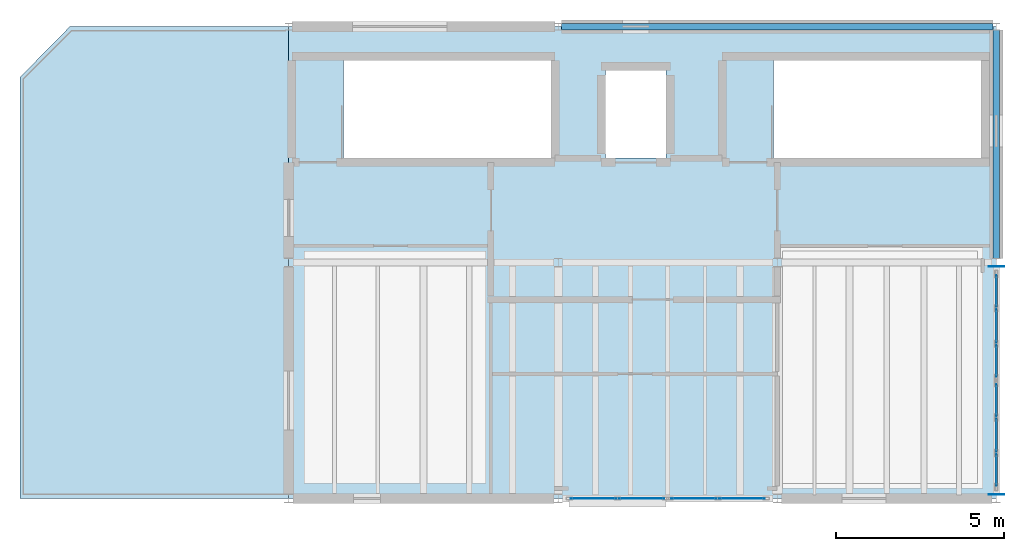
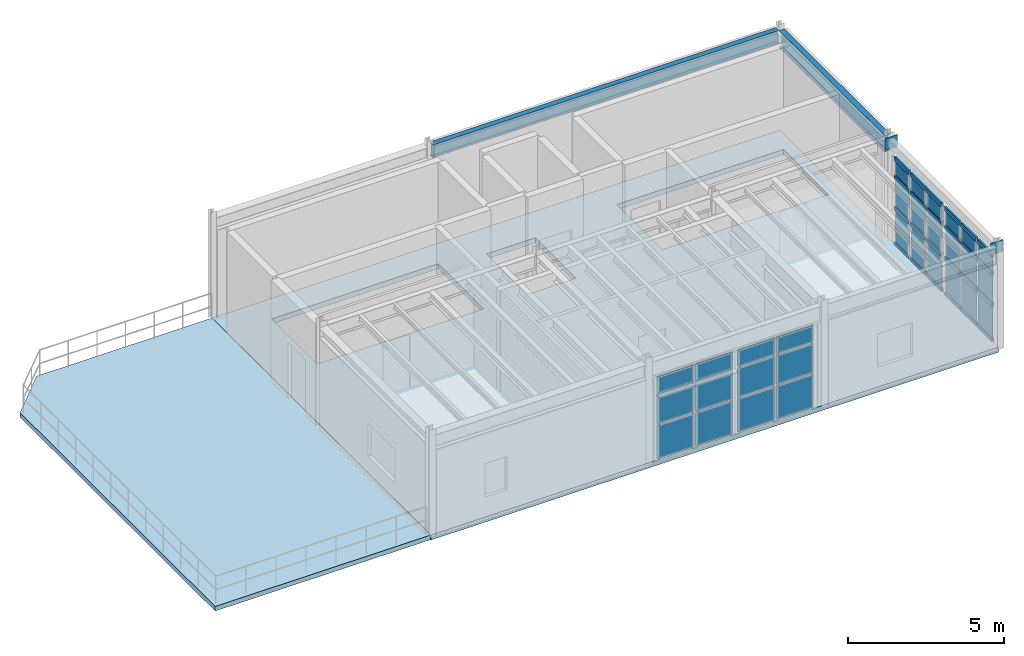
# One storey, part 5 of 8: 32 plates, 24 members, 2 beams, 2 slabs, 4 elements without a shape of their own.
"""IFC4 building model written with IfcOpenShell, lengths in metres."""

from ifc_helpers import new_model, si_unit, direction, frame, origin, origin_2d, place, context, subcontext, project, spatial, polyline, rectangle, hollow_rectangle, i_section, outline, extrude, material, layer, layer_set, material_profile, profile_set, type_object, element, aggregate, save


model = new_model("IFC4")

# Units and contexts
model_context = context("Model", 3, precision=1e-05, world=origin(), true_north=direction((0.0, 1.0)))
body_context = subcontext(model_context, "Body", "Model", "MODEL_VIEW")
ifc_project = project(units=[si_unit("LENGTHUNIT", "METRE"), si_unit("AREAUNIT", "SQUARE_METRE"), si_unit("VOLUMEUNIT", "CUBIC_METRE"), si_unit("PLANEANGLEUNIT", "RADIAN"), si_unit("MASSUNIT", "GRAM", prefix="KILO"), si_unit("THERMODYNAMICTEMPERATUREUNIT", "KELVIN"), si_unit("POWERUNIT", "WATT")], contexts=[model_context])

# Site, building, storey
site_placement = place(None, origin())
site = spatial("IfcSite", under=ifc_project, at=site_placement, CompositionType="ELEMENT")
building_placement = place(site_placement, origin())
building = spatial("IfcBuilding", under=site, at=building_placement, Name="Zhenchuan Central Fire Station", CompositionType="ELEMENT")
storey_placement = place(building_placement, frame((0.0, 0.0, 22.64990234375)))
storey = spatial("IfcBuildingStorey", under=building, at=storey_placement, Name="L06", CompositionType="ELEMENT", Elevation=22.64990234375)

# Beam
ifc_material_1 = material(Name="Steel Q355B", Category="steel")
ifc_material_profile_1 = material_profile(ifc_material_1, i_section(OverallWidth=0.199951171875, OverallDepth=0.64990234375, WebThickness=0.011962890625, FlangeThickness=0.02001953125, FilletRadius=0.02197265625, at=origin_2d()), Name="HN 650x200")
ifc_profile_set_1 = profile_set([ifc_material_profile_1], Name="Steel Q355B")
beam_type_1 = type_object("IfcBeamType", Name="BM-HN650-EXT", PredefinedType="BEAM", material=ifc_profile_set_1)
beam_1_placement = place(storey_placement, frame((161.0, 49.625, 3.655029296875), z_axis=(0.0, 1.0, 0.0), x_axis=(-1.0, 0.0, 0.0)))
element("IfcBeam", 1, at=beam_1_placement, inside=storey, type_object=beam_type_1, Name="RF Girder NS 0518", PredefinedType="BEAM", context=body_context, shape_type="SweptSolid", body=[
    extrude(i_section(OverallWidth=0.199951171875, OverallDepth=0.64990234375, WebThickness=0.011962890625, FlangeThickness=0.02001953125, FilletRadius=0.02197265625, at=origin_2d()), origin(), (0.0, 0.0, 1.0), 6.77490234375),
])

# Curtain wall, members
ifc_material_2 = material(Name="Anodised aluminium and low-E glazing", Category="aluminium")
curtain_wall_type_1 = type_object("IfcCurtainWallType", Name="CW-MOD-16", PredefinedType="USERDEFINED", material=ifc_material_2)
curtain_wall_1_placement = place(storey_placement, origin())
curtain_wall_1 = element("IfcCurtainWall", 2, at=curtain_wall_1_placement, inside=storey, type_object=curtain_wall_type_1, Name="L06 Unitised Curtain Wall 154", ObjectType="UNITISED GLAZING", PredefinedType="USERDEFINED")
ifc_material_3 = material(Name="Anodised aluminium EN AW-6063", Category="aluminium")
ifc_material_profile_2 = material_profile(ifc_material_3, hollow_rectangle(XDim=0.080078125, YDim=0.1650390625, WallThickness=0.0048828125, at=origin_2d()), Name="ALU-T 165x80")
ifc_profile_set_2 = profile_set([ifc_material_profile_2], Name="Anodised aluminium EN AW-6063")
member_type = type_object("IfcMemberType", Name="CW-TRN150", PredefinedType="NOTDEFINED", material=ifc_profile_set_2)
member_1_placement = place(storey_placement, frame((161.0, 42.875, 0.03369140625), z_axis=(0.0, 1.0, 0.0), x_axis=(-1.0, 0.0, 0.0)))
member_1 = element("IfcMember", 3, at=member_1_placement, type_object=member_type, Name="CW-16 transom 1.1", ObjectType="TRANSOM", PredefinedType="USERDEFINED", context=body_context, shape_type="SweptSolid", body=[
    extrude(hollow_rectangle(XDim=0.080078125, YDim=0.1650390625, WallThickness=0.0048828125, at=origin_2d()), origin(), (0.0, 0.0, 1.0), 0.94140625),
])
member_2_placement = place(storey_placement, frame((161.0, 42.875, 1.427978515625), z_axis=(0.0, 1.0, 0.0), x_axis=(-1.0, 0.0, 0.0)))
member_2 = element("IfcMember", 4, at=member_2_placement, type_object=member_type, Name="CW-16 transom 1.2", ObjectType="TRANSOM", PredefinedType="USERDEFINED", context=body_context, shape_type="SweptSolid", body=[
    extrude(hollow_rectangle(XDim=0.080078125, YDim=0.1650390625, WallThickness=0.0048828125, at=origin_2d()), origin(), (0.0, 0.0, 1.0), 0.94140625),
])
member_3_placement = place(storey_placement, frame((161.0, 42.875, 2.652099609375), z_axis=(0.0, 1.0, 0.0), x_axis=(-1.0, 0.0, 0.0)))
member_3 = element("IfcMember", 5, at=member_3_placement, type_object=member_type, Name="CW-16 transom 1.3", ObjectType="TRANSOM", PredefinedType="USERDEFINED", context=body_context, shape_type="SweptSolid", body=[
    extrude(hollow_rectangle(XDim=0.080078125, YDim=0.1650390625, WallThickness=0.0048828125, at=origin_2d()), origin(), (0.0, 0.0, 1.0), 0.94140625),
])
member_4_placement = place(storey_placement, frame((161.0, 42.875, 3.362548828125), z_axis=(0.0, 1.0, 0.0), x_axis=(-1.0, 0.0, 0.0)))
member_4 = element("IfcMember", 6, at=member_4_placement, type_object=member_type, Name="CW-16 transom 1.4", ObjectType="TRANSOM", PredefinedType="USERDEFINED", context=body_context, shape_type="SweptSolid", body=[
    extrude(hollow_rectangle(XDim=0.080078125, YDim=0.1650390625, WallThickness=0.0048828125, at=origin_2d()), origin(), (0.0, 0.0, 1.0), 0.94140625),
])
member_5_placement = place(storey_placement, frame((161.0, 43.8916015625, 0.03369140625), z_axis=(0.0, 1.0, 0.0), x_axis=(-1.0, 0.0, 0.0)))
member_5 = element("IfcMember", 7, at=member_5_placement, type_object=member_type, Name="CW-16 transom 2.1", ObjectType="TRANSOM", PredefinedType="USERDEFINED", context=body_context, shape_type="SweptSolid", body=[
    extrude(hollow_rectangle(XDim=0.080078125, YDim=0.1650390625, WallThickness=0.0048828125, at=origin_2d()), origin(), (0.0, 0.0, 1.0), 0.97900390625),
])
member_6_placement = place(storey_placement, frame((161.0, 43.8916015625, 1.427978515625), z_axis=(0.0, 1.0, 0.0), x_axis=(-1.0, 0.0, 0.0)))
member_6 = element("IfcMember", 8, at=member_6_placement, type_object=member_type, Name="CW-16 transom 2.2", ObjectType="TRANSOM", PredefinedType="USERDEFINED", context=body_context, shape_type="SweptSolid", body=[
    extrude(hollow_rectangle(XDim=0.080078125, YDim=0.1650390625, WallThickness=0.0048828125, at=origin_2d()), origin(), (0.0, 0.0, 1.0), 0.97900390625),
])
member_7_placement = place(storey_placement, frame((161.0, 43.8916015625, 2.652099609375), z_axis=(0.0, 1.0, 0.0), x_axis=(-1.0, 0.0, 0.0)))
member_7 = element("IfcMember", 9, at=member_7_placement, type_object=member_type, Name="CW-16 transom 2.3", ObjectType="TRANSOM", PredefinedType="USERDEFINED", context=body_context, shape_type="SweptSolid", body=[
    extrude(hollow_rectangle(XDim=0.080078125, YDim=0.1650390625, WallThickness=0.0048828125, at=origin_2d()), origin(), (0.0, 0.0, 1.0), 0.97900390625),
])
member_8_placement = place(storey_placement, frame((161.0, 43.8916015625, 3.362548828125), z_axis=(0.0, 1.0, 0.0), x_axis=(-1.0, 0.0, 0.0)))
member_8 = element("IfcMember", 10, at=member_8_placement, type_object=member_type, Name="CW-16 transom 2.4", ObjectType="TRANSOM", PredefinedType="USERDEFINED", context=body_context, shape_type="SweptSolid", body=[
    extrude(hollow_rectangle(XDim=0.080078125, YDim=0.1650390625, WallThickness=0.0048828125, at=origin_2d()), origin(), (0.0, 0.0, 1.0), 0.97900390625),
])
member_9_placement = place(storey_placement, frame((161.0, 44.945556640625, 0.03369140625), z_axis=(0.0, 1.0, 0.0), x_axis=(-1.0, 0.0, 0.0)))
member_9 = element("IfcMember", 11, at=member_9_placement, type_object=member_type, Name="CW-16 transom 3.1", ObjectType="TRANSOM", PredefinedType="USERDEFINED", context=body_context, shape_type="SweptSolid", body=[
    extrude(hollow_rectangle(XDim=0.080078125, YDim=0.1650390625, WallThickness=0.0048828125, at=origin_2d()), origin(), (0.0, 0.0, 1.0), 0.94140625),
])
member_10_placement = place(storey_placement, frame((161.0, 44.945556640625, 1.427978515625), z_axis=(0.0, 1.0, 0.0), x_axis=(-1.0, 0.0, 0.0)))
member_10 = element("IfcMember", 12, at=member_10_placement, type_object=member_type, Name="CW-16 transom 3.2", ObjectType="TRANSOM", PredefinedType="USERDEFINED", context=body_context, shape_type="SweptSolid", body=[
    extrude(hollow_rectangle(XDim=0.080078125, YDim=0.1650390625, WallThickness=0.0048828125, at=origin_2d()), origin(), (0.0, 0.0, 1.0), 0.94140625),
])
member_11_placement = place(storey_placement, frame((161.0, 44.945556640625, 2.652099609375), z_axis=(0.0, 1.0, 0.0), x_axis=(-1.0, 0.0, 0.0)))
member_11 = element("IfcMember", 13, at=member_11_placement, type_object=member_type, Name="CW-16 transom 3.3", ObjectType="TRANSOM", PredefinedType="USERDEFINED", context=body_context, shape_type="SweptSolid", body=[
    extrude(hollow_rectangle(XDim=0.080078125, YDim=0.1650390625, WallThickness=0.0048828125, at=origin_2d()), origin(), (0.0, 0.0, 1.0), 0.94140625),
])
member_12_placement = place(storey_placement, frame((161.0, 44.945556640625, 3.362548828125), z_axis=(0.0, 1.0, 0.0), x_axis=(-1.0, 0.0, 0.0)))
member_12 = element("IfcMember", 14, at=member_12_placement, type_object=member_type, Name="CW-16 transom 3.4", ObjectType="TRANSOM", PredefinedType="USERDEFINED", context=body_context, shape_type="SweptSolid", body=[
    extrude(hollow_rectangle(XDim=0.080078125, YDim=0.1650390625, WallThickness=0.0048828125, at=origin_2d()), origin(), (0.0, 0.0, 1.0), 0.94140625),
])

curtain_wall_type_2 = type_object("IfcCurtainWallType", Name="CW-MOD-17", PredefinedType="USERDEFINED", material=ifc_material_2)
curtain_wall_2_placement = place(storey_placement, origin())
curtain_wall_2 = element("IfcCurtainWall", 15, at=curtain_wall_2_placement, inside=storey, type_object=curtain_wall_type_2, Name="L06 Unitised Curtain Wall 155", ObjectType="UNITISED GLAZING", PredefinedType="USERDEFINED")
member_13_placement = place(storey_placement, frame((161.0, 46.113037109375, 0.03369140625), z_axis=(0.0, 1.0, 0.0), x_axis=(-1.0, 0.0, 0.0)))
member_13 = element("IfcMember", 16, at=member_13_placement, type_object=member_type, Name="CW-17 transom 1.1", ObjectType="TRANSOM", PredefinedType="USERDEFINED", context=body_context, shape_type="SweptSolid", body=[
    extrude(hollow_rectangle(XDim=0.080078125, YDim=0.1650390625, WallThickness=0.0048828125, at=origin_2d()), origin(), (0.0, 0.0, 1.0), 0.94140625),
])
member_14_placement = place(storey_placement, frame((161.0, 46.113037109375, 1.427978515625), z_axis=(0.0, 1.0, 0.0), x_axis=(-1.0, 0.0, 0.0)))
member_14 = element("IfcMember", 17, at=member_14_placement, type_object=member_type, Name="CW-17 transom 1.2", ObjectType="TRANSOM", PredefinedType="USERDEFINED", context=body_context, shape_type="SweptSolid", body=[
    extrude(hollow_rectangle(XDim=0.080078125, YDim=0.1650390625, WallThickness=0.0048828125, at=origin_2d()), origin(), (0.0, 0.0, 1.0), 0.94140625),
])
member_15_placement = place(storey_placement, frame((161.0, 46.113037109375, 2.652099609375), z_axis=(0.0, 1.0, 0.0), x_axis=(-1.0, 0.0, 0.0)))
member_15 = element("IfcMember", 18, at=member_15_placement, type_object=member_type, Name="CW-17 transom 1.3", ObjectType="TRANSOM", PredefinedType="USERDEFINED", context=body_context, shape_type="SweptSolid", body=[
    extrude(hollow_rectangle(XDim=0.080078125, YDim=0.1650390625, WallThickness=0.0048828125, at=origin_2d()), origin(), (0.0, 0.0, 1.0), 0.94140625),
])
member_16_placement = place(storey_placement, frame((161.0, 46.113037109375, 3.362548828125), z_axis=(0.0, 1.0, 0.0), x_axis=(-1.0, 0.0, 0.0)))
member_16 = element("IfcMember", 19, at=member_16_placement, type_object=member_type, Name="CW-17 transom 1.4", ObjectType="TRANSOM", PredefinedType="USERDEFINED", context=body_context, shape_type="SweptSolid", body=[
    extrude(hollow_rectangle(XDim=0.080078125, YDim=0.1650390625, WallThickness=0.0048828125, at=origin_2d()), origin(), (0.0, 0.0, 1.0), 0.94140625),
])
member_17_placement = place(storey_placement, frame((161.0, 47.12939453125, 0.03369140625), z_axis=(0.0, 1.0, 0.0), x_axis=(-1.0, 0.0, 0.0)))
member_17 = element("IfcMember", 20, at=member_17_placement, type_object=member_type, Name="CW-17 transom 2.1", ObjectType="TRANSOM", PredefinedType="USERDEFINED", context=body_context, shape_type="SweptSolid", body=[
    extrude(hollow_rectangle(XDim=0.080078125, YDim=0.1650390625, WallThickness=0.0048828125, at=origin_2d()), origin(), (0.0, 0.0, 1.0), 0.97900390625),
])
member_18_placement = place(storey_placement, frame((161.0, 47.12939453125, 1.427978515625), z_axis=(0.0, 1.0, 0.0), x_axis=(-1.0, 0.0, 0.0)))
member_18 = element("IfcMember", 21, at=member_18_placement, type_object=member_type, Name="CW-17 transom 2.2", ObjectType="TRANSOM", PredefinedType="USERDEFINED", context=body_context, shape_type="SweptSolid", body=[
    extrude(hollow_rectangle(XDim=0.080078125, YDim=0.1650390625, WallThickness=0.0048828125, at=origin_2d()), origin(), (0.0, 0.0, 1.0), 0.97900390625),
])
member_19_placement = place(storey_placement, frame((161.0, 47.12939453125, 2.652099609375), z_axis=(0.0, 1.0, 0.0), x_axis=(-1.0, 0.0, 0.0)))
member_19 = element("IfcMember", 22, at=member_19_placement, type_object=member_type, Name="CW-17 transom 2.3", ObjectType="TRANSOM", PredefinedType="USERDEFINED", context=body_context, shape_type="SweptSolid", body=[
    extrude(hollow_rectangle(XDim=0.080078125, YDim=0.1650390625, WallThickness=0.0048828125, at=origin_2d()), origin(), (0.0, 0.0, 1.0), 0.97900390625),
])
member_20_placement = place(storey_placement, frame((161.0, 47.12939453125, 3.362548828125), z_axis=(0.0, 1.0, 0.0), x_axis=(-1.0, 0.0, 0.0)))
member_20 = element("IfcMember", 23, at=member_20_placement, type_object=member_type, Name="CW-17 transom 2.4", ObjectType="TRANSOM", PredefinedType="USERDEFINED", context=body_context, shape_type="SweptSolid", body=[
    extrude(hollow_rectangle(XDim=0.080078125, YDim=0.1650390625, WallThickness=0.0048828125, at=origin_2d()), origin(), (0.0, 0.0, 1.0), 0.97900390625),
])
member_21_placement = place(storey_placement, frame((161.0, 48.18359375, 0.03369140625), z_axis=(0.0, 1.0, 0.0), x_axis=(-1.0, 0.0, 0.0)))
member_21 = element("IfcMember", 24, at=member_21_placement, type_object=member_type, Name="CW-17 transom 3.1", ObjectType="TRANSOM", PredefinedType="USERDEFINED", context=body_context, shape_type="SweptSolid", body=[
    extrude(hollow_rectangle(XDim=0.080078125, YDim=0.1650390625, WallThickness=0.0048828125, at=origin_2d()), origin(), (0.0, 0.0, 1.0), 0.94140625),
])
member_22_placement = place(storey_placement, frame((161.0, 48.18359375, 1.427978515625), z_axis=(0.0, 1.0, 0.0), x_axis=(-1.0, 0.0, 0.0)))
member_22 = element("IfcMember", 25, at=member_22_placement, type_object=member_type, Name="CW-17 transom 3.2", ObjectType="TRANSOM", PredefinedType="USERDEFINED", context=body_context, shape_type="SweptSolid", body=[
    extrude(hollow_rectangle(XDim=0.080078125, YDim=0.1650390625, WallThickness=0.0048828125, at=origin_2d()), origin(), (0.0, 0.0, 1.0), 0.94140625),
])
member_23_placement = place(storey_placement, frame((161.0, 48.18359375, 2.652099609375), z_axis=(0.0, 1.0, 0.0), x_axis=(-1.0, 0.0, 0.0)))
member_23 = element("IfcMember", 26, at=member_23_placement, type_object=member_type, Name="CW-17 transom 3.3", ObjectType="TRANSOM", PredefinedType="USERDEFINED", context=body_context, shape_type="SweptSolid", body=[
    extrude(hollow_rectangle(XDim=0.080078125, YDim=0.1650390625, WallThickness=0.0048828125, at=origin_2d()), origin(), (0.0, 0.0, 1.0), 0.94140625),
])
member_24_placement = place(storey_placement, frame((161.0, 48.18359375, 3.362548828125), z_axis=(0.0, 1.0, 0.0), x_axis=(-1.0, 0.0, 0.0)))
member_24 = element("IfcMember", 27, at=member_24_placement, type_object=member_type, Name="CW-17 transom 3.4", ObjectType="TRANSOM", PredefinedType="USERDEFINED", context=body_context, shape_type="SweptSolid", body=[
    extrude(hollow_rectangle(XDim=0.080078125, YDim=0.1650390625, WallThickness=0.0048828125, at=origin_2d()), origin(), (0.0, 0.0, 1.0), 0.94140625),
])

# Beam
ifc_material_profile_3 = material_profile(ifc_material_1, i_section(OverallWidth=0.199951171875, OverallDepth=0.5, WebThickness=0.010009765625, FlangeThickness=0.01611328125, FilletRadius=0.02001953125, at=origin_2d()), Name="HN 500x200")
ifc_profile_set_3 = profile_set([ifc_material_profile_3], Name="Steel Q355B")
beam_type_2 = type_object("IfcBeamType", Name="SP-HN500", PredefinedType="SPANDREL", material=ifc_profile_set_3)
beam_2_placement = place(storey_placement, frame((148.10009765625, 56.5, 3.72998046875), z_axis=(1.0, 0.0, 0.0), x_axis=(0.0, 1.0, 0.0)))
element("IfcBeam", 28, at=beam_2_placement, inside=storey, type_object=beam_type_2, Name="RF Girder EW 0513", PredefinedType="SPANDREL", context=body_context, shape_type="SweptSolid", body=[
    extrude(i_section(OverallWidth=0.199951171875, OverallDepth=0.5, WebThickness=0.010009765625, FlangeThickness=0.01611328125, FilletRadius=0.02001953125, at=origin_2d()), origin(), (0.0, 0.0, 1.0), 12.7998046875),
])

# Plate
ifc_material_4 = material(Name="Laminated low-E double glazing", Category="glass")
ifc_layer_1 = layer(ifc_material_4, 0.011962890625, Name="Laminated low-E double glazing", Category="glass")
ifc_layer_set_1 = layer_set([ifc_layer_1], Name="Laminated low-E double glazing")
plate_type_1 = type_object("IfcPlateType", Name="CW-PNL12", PredefinedType="CURTAIN_PANEL", material=ifc_layer_set_1)
plate_1_placement = place(storey_placement, frame((161.0, 43.345703125, 0.0712890625), z_axis=(0.0, 0.0, 1.0), x_axis=(0.0, 1.0, 0.0)))
plate_1 = element("IfcPlate", 29, at=plate_1_placement, type_object=plate_type_1, Name="CW-16 panel 1.1", PredefinedType="CURTAIN_PANEL", context=body_context, shape_type="SweptSolid", body=[
    extrude(rectangle(XDim=0.94140625, YDim=0.011962890625, at=origin_2d()), origin(), (0.0, 0.0, 1.0), 1.319580078125),
])

plate_2_placement = place(storey_placement, frame((161.0, 43.345703125, 1.465576171875), z_axis=(0.0, 0.0, 1.0), x_axis=(0.0, 1.0, 0.0)))
plate_2 = element("IfcPlate", 30, at=plate_2_placement, type_object=plate_type_1, Name="CW-16 panel 1.2", PredefinedType="CURTAIN_PANEL", context=body_context, shape_type="SweptSolid", body=[
    extrude(rectangle(XDim=0.94140625, YDim=0.011962890625, at=origin_2d()), origin(), (0.0, 0.0, 1.0), 1.14892578125),
])

plate_3_placement = place(storey_placement, frame((161.0, 43.345703125, 2.689453125), z_axis=(0.0, 0.0, 1.0), x_axis=(0.0, 1.0, 0.0)))
plate_3 = element("IfcPlate", 31, at=plate_3_placement, type_object=plate_type_1, Name="CW-16 panel 1.3", PredefinedType="CURTAIN_PANEL", context=body_context, shape_type="SweptSolid", body=[
    extrude(rectangle(XDim=0.94140625, YDim=0.011962890625, at=origin_2d()), origin(), (0.0, 0.0, 1.0), 0.635498046875),
])

plate_4_placement = place(storey_placement, frame((161.0, 44.381103515625, 0.0712890625), z_axis=(0.0, 0.0, 1.0), x_axis=(0.0, 1.0, 0.0)))
plate_4 = element("IfcPlate", 32, at=plate_4_placement, type_object=plate_type_1, Name="CW-16 panel 2.1", PredefinedType="CURTAIN_PANEL", context=body_context, shape_type="SweptSolid", body=[
    extrude(rectangle(XDim=0.97900390625, YDim=0.011962890625, at=origin_2d()), origin(), (0.0, 0.0, 1.0), 1.319580078125),
])

plate_5_placement = place(storey_placement, frame((161.0, 44.381103515625, 1.465576171875), z_axis=(0.0, 0.0, 1.0), x_axis=(0.0, 1.0, 0.0)))
plate_5 = element("IfcPlate", 33, at=plate_5_placement, type_object=plate_type_1, Name="CW-16 panel 2.2", PredefinedType="CURTAIN_PANEL", context=body_context, shape_type="SweptSolid", body=[
    extrude(rectangle(XDim=0.97900390625, YDim=0.011962890625, at=origin_2d()), origin(), (0.0, 0.0, 1.0), 1.14892578125),
])

plate_6_placement = place(storey_placement, frame((161.0, 44.381103515625, 2.689453125), z_axis=(0.0, 0.0, 1.0), x_axis=(0.0, 1.0, 0.0)))
plate_6 = element("IfcPlate", 34, at=plate_6_placement, type_object=plate_type_1, Name="CW-16 panel 2.3", PredefinedType="CURTAIN_PANEL", context=body_context, shape_type="SweptSolid", body=[
    extrude(rectangle(XDim=0.97900390625, YDim=0.011962890625, at=origin_2d()), origin(), (0.0, 0.0, 1.0), 0.635498046875),
])

plate_7_placement = place(storey_placement, frame((161.0, 45.416259765625, 0.0712890625), z_axis=(0.0, 0.0, 1.0), x_axis=(0.0, 1.0, 0.0)))
plate_7 = element("IfcPlate", 35, at=plate_7_placement, type_object=plate_type_1, Name="CW-16 panel 3.1", PredefinedType="CURTAIN_PANEL", context=body_context, shape_type="SweptSolid", body=[
    extrude(rectangle(XDim=0.94140625, YDim=0.011962890625, at=origin_2d()), origin(), (0.0, 0.0, 1.0), 1.319580078125),
])

plate_8_placement = place(storey_placement, frame((161.0, 45.416259765625, 1.465576171875), z_axis=(0.0, 0.0, 1.0), x_axis=(0.0, 1.0, 0.0)))
plate_8 = element("IfcPlate", 36, at=plate_8_placement, type_object=plate_type_1, Name="CW-16 panel 3.2", PredefinedType="CURTAIN_PANEL", context=body_context, shape_type="SweptSolid", body=[
    extrude(rectangle(XDim=0.94140625, YDim=0.011962890625, at=origin_2d()), origin(), (0.0, 0.0, 1.0), 1.14892578125),
])

plate_9_placement = place(storey_placement, frame((161.0, 45.416259765625, 2.689453125), z_axis=(0.0, 0.0, 1.0), x_axis=(0.0, 1.0, 0.0)))
plate_9 = element("IfcPlate", 37, at=plate_9_placement, type_object=plate_type_1, Name="CW-16 panel 3.3", PredefinedType="CURTAIN_PANEL", context=body_context, shape_type="SweptSolid", body=[
    extrude(rectangle(XDim=0.94140625, YDim=0.011962890625, at=origin_2d()), origin(), (0.0, 0.0, 1.0), 0.635498046875),
])

aggregate(curtain_wall_1, [member_1, member_2, member_3, member_4, plate_1, plate_2, plate_3, member_5, member_6, member_7, member_8, plate_4, plate_5, plate_6, member_9, member_10, member_11, member_12, plate_7, plate_8, plate_9])

plate_10_placement = place(storey_placement, frame((161.0, 46.583740234375, 0.0712890625), z_axis=(0.0, 0.0, 1.0), x_axis=(0.0, 1.0, 0.0)))
plate_10 = element("IfcPlate", 38, at=plate_10_placement, type_object=plate_type_1, Name="CW-17 panel 1.1", PredefinedType="CURTAIN_PANEL", context=body_context, shape_type="SweptSolid", body=[
    extrude(rectangle(XDim=0.94140625, YDim=0.011962890625, at=origin_2d()), origin(), (0.0, 0.0, 1.0), 1.319580078125),
])

plate_11_placement = place(storey_placement, frame((161.0, 46.583740234375, 1.465576171875), z_axis=(0.0, 0.0, 1.0), x_axis=(0.0, 1.0, 0.0)))
plate_11 = element("IfcPlate", 39, at=plate_11_placement, type_object=plate_type_1, Name="CW-17 panel 1.2", PredefinedType="CURTAIN_PANEL", context=body_context, shape_type="SweptSolid", body=[
    extrude(rectangle(XDim=0.94140625, YDim=0.011962890625, at=origin_2d()), origin(), (0.0, 0.0, 1.0), 1.14892578125),
])

plate_12_placement = place(storey_placement, frame((161.0, 46.583740234375, 2.689453125), z_axis=(0.0, 0.0, 1.0), x_axis=(0.0, 1.0, 0.0)))
plate_12 = element("IfcPlate", 40, at=plate_12_placement, type_object=plate_type_1, Name="CW-17 panel 1.3", PredefinedType="CURTAIN_PANEL", context=body_context, shape_type="SweptSolid", body=[
    extrude(rectangle(XDim=0.94140625, YDim=0.011962890625, at=origin_2d()), origin(), (0.0, 0.0, 1.0), 0.635498046875),
])

plate_13_placement = place(storey_placement, frame((161.0, 47.618896484375, 0.0712890625), z_axis=(0.0, 0.0, 1.0), x_axis=(0.0, 1.0, 0.0)))
plate_13 = element("IfcPlate", 41, at=plate_13_placement, type_object=plate_type_1, Name="CW-17 panel 2.1", PredefinedType="CURTAIN_PANEL", context=body_context, shape_type="SweptSolid", body=[
    extrude(rectangle(XDim=0.97900390625, YDim=0.011962890625, at=origin_2d()), origin(), (0.0, 0.0, 1.0), 1.319580078125),
])

plate_14_placement = place(storey_placement, frame((161.0, 47.618896484375, 1.465576171875), z_axis=(0.0, 0.0, 1.0), x_axis=(0.0, 1.0, 0.0)))
plate_14 = element("IfcPlate", 42, at=plate_14_placement, type_object=plate_type_1, Name="CW-17 panel 2.2", PredefinedType="CURTAIN_PANEL", context=body_context, shape_type="SweptSolid", body=[
    extrude(rectangle(XDim=0.97900390625, YDim=0.011962890625, at=origin_2d()), origin(), (0.0, 0.0, 1.0), 1.14892578125),
])

plate_15_placement = place(storey_placement, frame((161.0, 47.618896484375, 2.689453125), z_axis=(0.0, 0.0, 1.0), x_axis=(0.0, 1.0, 0.0)))
plate_15 = element("IfcPlate", 43, at=plate_15_placement, type_object=plate_type_1, Name="CW-17 panel 2.3", PredefinedType="CURTAIN_PANEL", context=body_context, shape_type="SweptSolid", body=[
    extrude(rectangle(XDim=0.97900390625, YDim=0.011962890625, at=origin_2d()), origin(), (0.0, 0.0, 1.0), 0.635498046875),
])

plate_16_placement = place(storey_placement, frame((161.0, 48.654296875, 0.0712890625), z_axis=(0.0, 0.0, 1.0), x_axis=(0.0, 1.0, 0.0)))
plate_16 = element("IfcPlate", 44, at=plate_16_placement, type_object=plate_type_1, Name="CW-17 panel 3.1", PredefinedType="CURTAIN_PANEL", context=body_context, shape_type="SweptSolid", body=[
    extrude(rectangle(XDim=0.94140625, YDim=0.011962890625, at=origin_2d()), origin(), (0.0, 0.0, 1.0), 1.319580078125),
])

plate_17_placement = place(storey_placement, frame((161.0, 48.654296875, 1.465576171875), z_axis=(0.0, 0.0, 1.0), x_axis=(0.0, 1.0, 0.0)))
plate_17 = element("IfcPlate", 45, at=plate_17_placement, type_object=plate_type_1, Name="CW-17 panel 3.2", PredefinedType="CURTAIN_PANEL", context=body_context, shape_type="SweptSolid", body=[
    extrude(rectangle(XDim=0.94140625, YDim=0.011962890625, at=origin_2d()), origin(), (0.0, 0.0, 1.0), 1.14892578125),
])

plate_18_placement = place(storey_placement, frame((161.0, 48.654296875, 2.689453125), z_axis=(0.0, 0.0, 1.0), x_axis=(0.0, 1.0, 0.0)))
plate_18 = element("IfcPlate", 46, at=plate_18_placement, type_object=plate_type_1, Name="CW-17 panel 3.3", PredefinedType="CURTAIN_PANEL", context=body_context, shape_type="SweptSolid", body=[
    extrude(rectangle(XDim=0.94140625, YDim=0.011962890625, at=origin_2d()), origin(), (0.0, 0.0, 1.0), 0.635498046875),
])

aggregate(curtain_wall_2, [member_13, member_14, member_15, member_16, plate_10, plate_11, plate_12, member_17, member_18, member_19, member_20, plate_13, plate_14, plate_15, member_21, member_22, member_23, member_24, plate_16, plate_17, plate_18])

# Curtain wall, plates
curtain_wall_type_3 = type_object("IfcCurtainWallType", Name="CW-MOD-02", PredefinedType="USERDEFINED", material=ifc_material_2)
curtain_wall_3_placement = place(storey_placement, origin())
curtain_wall_3 = element("IfcCurtainWall", 47, at=curtain_wall_3_placement, inside=storey, type_object=curtain_wall_type_3, Name="L06 Unitised Curtain Wall 156", ObjectType="UNITISED GLAZING", PredefinedType="USERDEFINED")
plate_19_placement = place(storey_placement, frame((149.044189453125, 42.5, 0.06103515625), z_axis=(0.0, 0.0, 1.0), x_axis=(1.0, 0.0, 0.0)))
plate_19 = element("IfcPlate", 48, at=plate_19_placement, type_object=plate_type_1, Name="CW-02 panel 1.1", PredefinedType="CURTAIN_PANEL", context=body_context, shape_type="SweptSolid", body=[
    extrude(rectangle(XDim=1.3583984375, YDim=0.011962890625, at=origin_2d()), origin(), (0.0, 0.0, 1.0), 1.302490234375),
])
plate_20_placement = place(storey_placement, frame((149.044189453125, 42.5, 1.4287109375), z_axis=(0.0, 0.0, 1.0), x_axis=(1.0, 0.0, 0.0)))
plate_20 = element("IfcPlate", 49, at=plate_20_placement, type_object=plate_type_1, Name="CW-02 panel 1.2", PredefinedType="CURTAIN_PANEL", context=body_context, shape_type="SweptSolid", body=[
    extrude(rectangle(XDim=1.3583984375, YDim=0.011962890625, at=origin_2d()), origin(), (0.0, 0.0, 1.0), 1.131591796875),
])
plate_21_placement = place(storey_placement, frame((149.044189453125, 42.5, 2.625244140625), z_axis=(0.0, 0.0, 1.0), x_axis=(1.0, 0.0, 0.0)))
plate_21 = element("IfcPlate", 50, at=plate_21_placement, type_object=plate_type_1, Name="CW-02 panel 1.3", PredefinedType="CURTAIN_PANEL", context=body_context, shape_type="SweptSolid", body=[
    extrude(rectangle(XDim=1.3583984375, YDim=0.011962890625, at=origin_2d()), origin(), (0.0, 0.0, 1.0), 0.6337890625),
])
plate_22_placement = place(storey_placement, frame((150.4677734375, 42.5, 0.06103515625), z_axis=(0.0, 0.0, 1.0), x_axis=(1.0, 0.0, 0.0)))
plate_22 = element("IfcPlate", 51, at=plate_22_placement, type_object=plate_type_1, Name="CW-02 panel 2.1", PredefinedType="CURTAIN_PANEL", context=body_context, shape_type="SweptSolid", body=[
    extrude(rectangle(XDim=1.3583984375, YDim=0.011962890625, at=origin_2d()), origin(), (0.0, 0.0, 1.0), 1.302490234375),
])
plate_23_placement = place(storey_placement, frame((150.4677734375, 42.5, 1.4287109375), z_axis=(0.0, 0.0, 1.0), x_axis=(1.0, 0.0, 0.0)))
plate_23 = element("IfcPlate", 52, at=plate_23_placement, type_object=plate_type_1, Name="CW-02 panel 2.2", PredefinedType="CURTAIN_PANEL", context=body_context, shape_type="SweptSolid", body=[
    extrude(rectangle(XDim=1.3583984375, YDim=0.011962890625, at=origin_2d()), origin(), (0.0, 0.0, 1.0), 1.131591796875),
])
plate_24_placement = place(storey_placement, frame((150.4677734375, 42.5, 2.625244140625), z_axis=(0.0, 0.0, 1.0), x_axis=(1.0, 0.0, 0.0)))
plate_24 = element("IfcPlate", 53, at=plate_24_placement, type_object=plate_type_1, Name="CW-02 panel 2.3", PredefinedType="CURTAIN_PANEL", context=body_context, shape_type="SweptSolid", body=[
    extrude(rectangle(XDim=1.3583984375, YDim=0.011962890625, at=origin_2d()), origin(), (0.0, 0.0, 1.0), 0.6337890625),
])
aggregate(curtain_wall_3, [plate_19, plate_20, plate_21, plate_22, plate_23, plate_24])

curtain_wall_type_4 = type_object("IfcCurtainWallType", Name="CW-MOD-03", PredefinedType="USERDEFINED", material=ifc_material_2)
curtain_wall_4_placement = place(storey_placement, origin())
curtain_wall_4 = element("IfcCurtainWall", 54, at=curtain_wall_4_placement, inside=storey, type_object=curtain_wall_type_4, Name="L06 Unitised Curtain Wall 157", ObjectType="UNITISED GLAZING", PredefinedType="USERDEFINED")
plate_25_placement = place(storey_placement, frame((152.0322265625, 42.5, 0.06103515625), z_axis=(0.0, 0.0, 1.0), x_axis=(1.0, 0.0, 0.0)))
plate_25 = element("IfcPlate", 55, at=plate_25_placement, type_object=plate_type_1, Name="CW-03 panel 1.1", PredefinedType="CURTAIN_PANEL", context=body_context, shape_type="SweptSolid", body=[
    extrude(rectangle(XDim=1.3583984375, YDim=0.011962890625, at=origin_2d()), origin(), (0.0, 0.0, 1.0), 1.302490234375),
])
plate_26_placement = place(storey_placement, frame((152.0322265625, 42.5, 1.4287109375), z_axis=(0.0, 0.0, 1.0), x_axis=(1.0, 0.0, 0.0)))
plate_26 = element("IfcPlate", 56, at=plate_26_placement, type_object=plate_type_1, Name="CW-03 panel 1.2", PredefinedType="CURTAIN_PANEL", context=body_context, shape_type="SweptSolid", body=[
    extrude(rectangle(XDim=1.3583984375, YDim=0.011962890625, at=origin_2d()), origin(), (0.0, 0.0, 1.0), 1.131591796875),
])
plate_27_placement = place(storey_placement, frame((152.0322265625, 42.5, 2.625244140625), z_axis=(0.0, 0.0, 1.0), x_axis=(1.0, 0.0, 0.0)))
plate_27 = element("IfcPlate", 57, at=plate_27_placement, type_object=plate_type_1, Name="CW-03 panel 1.3", PredefinedType="CURTAIN_PANEL", context=body_context, shape_type="SweptSolid", body=[
    extrude(rectangle(XDim=1.3583984375, YDim=0.011962890625, at=origin_2d()), origin(), (0.0, 0.0, 1.0), 0.6337890625),
])
plate_28_placement = place(storey_placement, frame((153.455810546875, 42.5, 0.06103515625), z_axis=(0.0, 0.0, 1.0), x_axis=(1.0, 0.0, 0.0)))
plate_28 = element("IfcPlate", 58, at=plate_28_placement, type_object=plate_type_1, Name="CW-03 panel 2.1", PredefinedType="CURTAIN_PANEL", context=body_context, shape_type="SweptSolid", body=[
    extrude(rectangle(XDim=1.3583984375, YDim=0.011962890625, at=origin_2d()), origin(), (0.0, 0.0, 1.0), 1.302490234375),
])
plate_29_placement = place(storey_placement, frame((153.455810546875, 42.5, 1.4287109375), z_axis=(0.0, 0.0, 1.0), x_axis=(1.0, 0.0, 0.0)))
plate_29 = element("IfcPlate", 59, at=plate_29_placement, type_object=plate_type_1, Name="CW-03 panel 2.2", PredefinedType="CURTAIN_PANEL", context=body_context, shape_type="SweptSolid", body=[
    extrude(rectangle(XDim=1.3583984375, YDim=0.011962890625, at=origin_2d()), origin(), (0.0, 0.0, 1.0), 1.131591796875),
])
plate_30_placement = place(storey_placement, frame((153.455810546875, 42.5, 2.625244140625), z_axis=(0.0, 0.0, 1.0), x_axis=(1.0, 0.0, 0.0)))
plate_30 = element("IfcPlate", 60, at=plate_30_placement, type_object=plate_type_1, Name="CW-03 panel 2.3", PredefinedType="CURTAIN_PANEL", context=body_context, shape_type="SweptSolid", body=[
    extrude(rectangle(XDim=1.3583984375, YDim=0.011962890625, at=origin_2d()), origin(), (0.0, 0.0, 1.0), 0.6337890625),
])
aggregate(curtain_wall_4, [plate_25, plate_26, plate_27, plate_28, plate_29, plate_30])

# Plates
ifc_material_profile_4 = material_profile(ifc_material_1, rectangle(XDim=0.4599609375, YDim=0.4599609375, at=origin_2d()), Name="PL 460x460x28")
ifc_profile_set_4 = profile_set([ifc_material_profile_4], Name="Steel Q355B")
plate_type_2 = type_object("IfcPlateType", Name="PL-GUS28", PredefinedType="SHEET", material=ifc_profile_set_4)
for number, where, z_axis, x_axis, name in (
    (61, (161.0, 42.60888671875, 3.830078125), (0.0, 1.0, 0.0), (-1.0, 0.0, 0.0), "RF Girder NS 0517 end cap plate A"),
    (62, (161.0, 49.37109375, 3.830078125), (0.0, 1.0, 0.0), (-1.0, 0.0, 0.0), "RF Girder NS 0517 end cap plate B"),
):
    element("IfcPlate", number, at=place(storey_placement, frame(where, z_axis=z_axis, x_axis=x_axis)), inside=storey, type_object=plate_type_2, Name=name, PredefinedType="SHEET", context=body_context, shape_type="SweptSolid", body=[
        extrude(rectangle(XDim=0.4599609375, YDim=0.4599609375, at=origin_2d()), origin(), (0.0, 0.0, 1.0), 0.02001953125),
    ])

# Slabs
ifc_material_5 = material(Name="Concrete C35/45", Category="concrete")
ifc_layer_2 = layer(ifc_material_5, 0.179931640625, Name="Concrete C35/45", Category="concrete")
ifc_layer_set_2 = layer_set([ifc_layer_2], Name="Concrete C35/45")
slab_type_1 = type_object("IfcSlabType", Name="SL-EXT180", PredefinedType="FLOOR", material=ifc_layer_set_2)
slab_1_placement = place(storey_placement, frame((0.0, 0.0, -0.179931640625)))
element("IfcSlab", 63, at=slab_1_placement, inside=storey, type_object=slab_type_1, Name="L06 High-Angle Rescue Drill Terrace", PredefinedType="FLOOR", context=body_context, shape_type="SweptSolid", body=[
    extrude(outline(polyline([(132.02490234375, 42.5), (139.99609375, 42.5), (139.99609375, 56.5), (133.5, 56.5), (132.02490234375, 55.0), (132.02490234375, 42.5)])), origin(), (0.0, 0.0, 1.0), 0.179931640625),
])
ifc_layer_3 = layer(ifc_material_5, 0.199951171875, Name="Concrete C35/45", Category="concrete")
ifc_layer_set_3 = layer_set([ifc_layer_3], Name="Concrete C35/45")
slab_type_2 = type_object("IfcSlabType", Name="SL-FLR200", PredefinedType="FLOOR", material=ifc_layer_set_3)
slab_2_placement = place(storey_placement, frame((0.0, 0.0, -0.199951171875)))
element("IfcSlab", 64, at=slab_2_placement, inside=storey, type_object=slab_type_2, Name="L06 Drill Tower Upper Floor Slab", PredefinedType="FLOOR", context=body_context, shape_type="SweptSolid", body=[
    extrude(outline(polyline([(140.0, 42.5), (161.0, 42.5), (161.0, 56.5), (140.0, 56.5), (140.0, 42.5)]), holes=[polyline([(141.62060546875, 52.60009765625), (147.780029296875, 52.60009765625), (147.780029296875, 55.5), (141.62060546875, 55.5), (141.62060546875, 52.60009765625)]), polyline([(154.390380859375, 52.60009765625), (160.550048828125, 52.60009765625), (160.550048828125, 55.5), (154.390380859375, 55.5), (154.390380859375, 52.60009765625)]), polyline([(149.39990234375, 52.60009765625), (151.199951171875, 52.60009765625), (151.199951171875, 55.199951171875), (149.39990234375, 55.199951171875), (149.39990234375, 52.60009765625)])]), origin(), (0.0, 0.0, 1.0), 0.199951171875),
])

save(model, "model.ifc")
